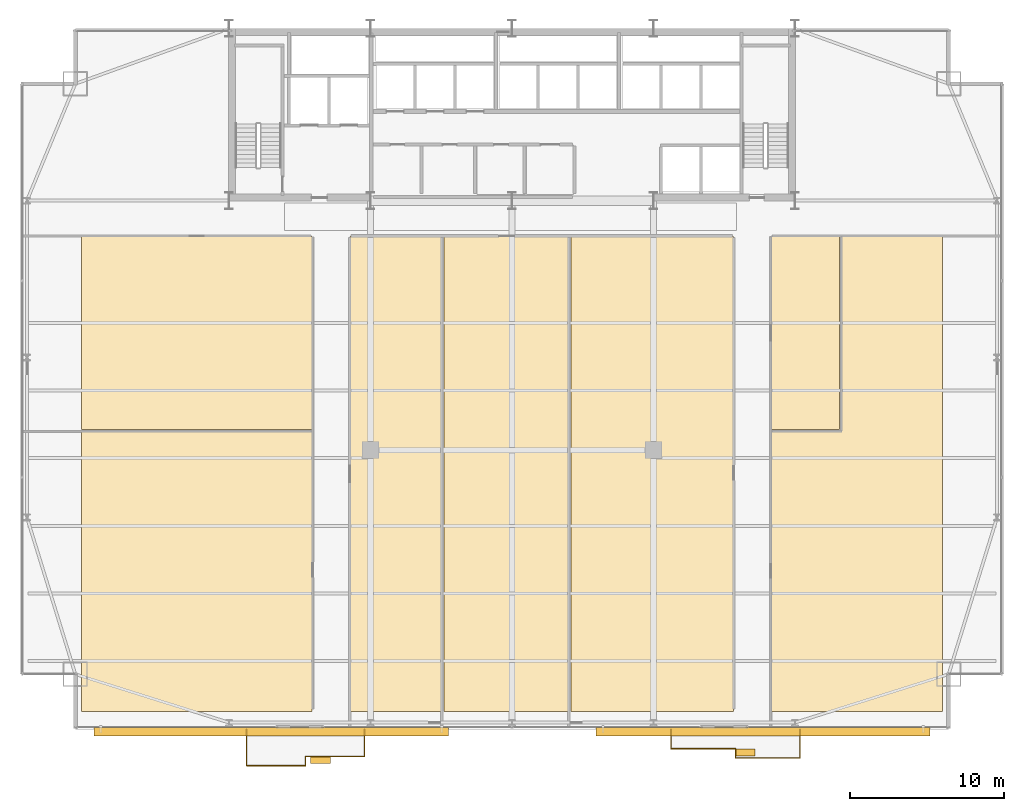
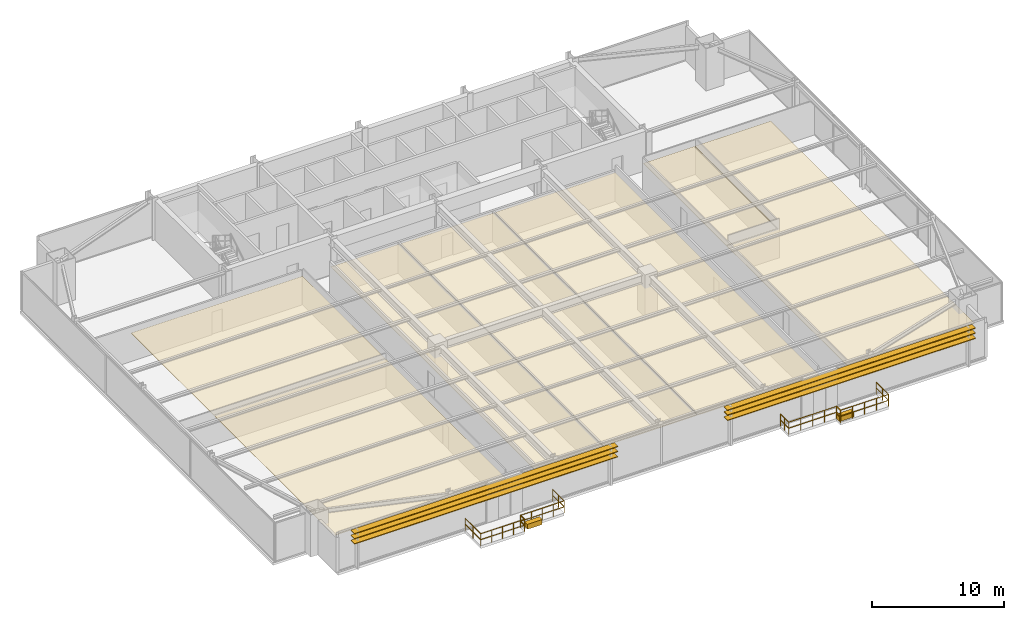
# One storey, part 30 of 31: 10 railings, 9 coverings, 6 shading devices.
"""IFC4 building model written with IfcOpenShell, lengths in metres."""

from ifc_helpers import new_model, si_unit, direction, frame, origin, origin_2d, place, context, subcontext, project, spatial, polyline, rectangle, outline, extrude, source, transform, mapped, material, layer, layer_set, type_object, type_shapes, element, save


model = new_model("IFC4")

# Units and contexts
model_context = context("Model", 3, precision=1e-05, world=origin(), true_north=direction((0.0, 1.0)))
body_context = subcontext(model_context, "Body", "Model", "MODEL_VIEW")
ifc_project = project(units=[si_unit("LENGTHUNIT", "METRE"), si_unit("AREAUNIT", "SQUARE_METRE"), si_unit("VOLUMEUNIT", "CUBIC_METRE"), si_unit("PLANEANGLEUNIT", "RADIAN"), si_unit("MASSUNIT", "GRAM", prefix="KILO")], contexts=[model_context])

# Site, building, storey
site_placement = place(None, origin())
site = spatial("IfcSite", under=ifc_project, at=site_placement, CompositionType="ELEMENT")
building_placement = place(site_placement, origin())
building = spatial("IfcBuilding", under=site, at=building_placement, Name="Varnel Quay Broadcast Tower", CompositionType="ELEMENT")
storey_placement = place(building_placement, frame((0.0, 0.0, 35.39990234375)))
storey = spatial("IfcBuildingStorey", under=building, at=storey_placement, Name="L07", CompositionType="ELEMENT", Elevation=35.39990234375)

# Coverings
ifc_material_1 = material(Name="Micro-Perforated Acoustic Ceiling Tile")
ifc_layer_1 = layer(ifc_material_1, 0.0400390625, Name="Micro-Perforated Acoustic Ceiling Tile")
ifc_layer_set_1 = layer_set([ifc_layer_1], Name="Micro-Perforated Acoustic Ceiling Tile")
covering_type_1 = type_object("IfcCoveringType", Name="Cov_AcousticCeiling", PredefinedType="CEILING", material=ifc_layer_set_1)
covering_1_placement = place(storey_placement, frame((0.0, 0.0, 2.580078125)))
element("IfcCovering", 1, at=covering_1_placement, inside=storey, type_object=covering_type_1, Name="L07 Ingest Vault Store 1 Acoustic Ceiling", PredefinedType="CEILING", context=body_context, shape_type="SweptSolid", body=[
    extrude(outline(polyline([(5.985107421875, 2.375), (21.0048828125, 2.375), (21.0048828125, 20.64501953125), (5.985107421875, 20.64501953125), (5.985107421875, 2.375)])), origin(), (0.0, 0.0, 1.0), 0.0400390625),
])
covering_2_placement = place(storey_placement, frame((0.0, 0.0, 2.580078125)))
element("IfcCovering", 2, at=covering_2_placement, inside=storey, type_object=covering_type_1, Name="L07 Color Timing Suite 2 Acoustic Ceiling", PredefinedType="CEILING", context=body_context, shape_type="SweptSolid", body=[
    extrude(outline(polyline([(5.985107421875, 20.715087890625), (21.0048828125, 20.715087890625), (21.0048828125, 33.264892578125), (5.985107421875, 33.264892578125), (5.985107421875, 20.715087890625)])), origin(), (0.0, 0.0, 1.0), 0.0400390625),
])
covering_3_placement = place(storey_placement, frame((0.0, 0.0, 2.580078125)))
element("IfcCovering", 3, at=covering_3_placement, inside=storey, type_object=covering_type_1, Name="L07 Screening Meeting Room 3 Acoustic Ceiling", PredefinedType="CEILING", context=body_context, shape_type="SweptSolid", body=[
    extrude(outline(polyline([(23.47509765625, 2.375), (29.4951171875, 2.375), (29.4951171875, 33.264892578125), (23.47509765625, 33.264892578125), (23.47509765625, 2.375)])), origin(), (0.0, 0.0, 1.0), 0.0400390625),
])
covering_4_placement = place(storey_placement, frame((0.0, 0.0, 2.580078125)))
element("IfcCovering", 4, at=covering_4_placement, inside=storey, type_object=covering_type_1, Name="L07 Producer Lounge 4 Acoustic Ceiling", PredefinedType="CEILING", context=body_context, shape_type="SweptSolid", body=[
    extrude(outline(polyline([(29.56494140625, 2.375), (37.7548828125, 2.375), (37.7548828125, 33.264892578125), (29.56494140625, 33.264892578125), (29.56494140625, 2.375)])), origin(), (0.0, 0.0, 1.0), 0.0400390625),
])
covering_5_placement = place(storey_placement, frame((0.0, 0.0, 2.580078125)))
element("IfcCovering", 5, at=covering_5_placement, inside=storey, type_object=covering_type_1, Name="L07 Tea Kitchen 5 Acoustic Ceiling", PredefinedType="CEILING", context=body_context, shape_type="SweptSolid", body=[
    extrude(outline(polyline([(37.824951171875, 2.375), (48.39501953125, 2.375), (48.39501953125, 33.264892578125), (37.824951171875, 33.264892578125), (37.824951171875, 2.375)])), origin(), (0.0, 0.0, 1.0), 0.0400390625),
])
covering_6_placement = place(storey_placement, frame((0.0, 0.0, 2.580078125)))
element("IfcCovering", 6, at=covering_6_placement, inside=storey, type_object=covering_type_1, Name="L07 Lens & Rigging Store 6 Acoustic Ceiling", PredefinedType="CEILING", context=body_context, shape_type="SweptSolid", body=[
    extrude(outline(polyline([(50.864990234375, 2.375), (62.014892578125, 2.375), (62.014892578125, 33.264892578125), (55.375, 33.264892578125), (55.375, 20.64501953125), (50.864990234375, 20.64501953125), (50.864990234375, 2.375)])), origin(), (0.0, 0.0, 1.0), 0.0400390625),
])
covering_7_placement = place(storey_placement, frame((0.0, 0.0, 2.580078125)))
element("IfcCovering", 7, at=covering_7_placement, inside=storey, type_object=covering_type_1, Name="L07 Producer Lounge 7 Acoustic Ceiling", PredefinedType="CEILING", context=body_context, shape_type="SweptSolid", body=[
    extrude(outline(polyline([(50.864990234375, 20.715087890625), (55.304931640625, 20.715087890625), (55.304931640625, 33.264892578125), (50.864990234375, 33.264892578125), (50.864990234375, 20.715087890625)])), origin(), (0.0, 0.0, 1.0), 0.0400390625),
])

# Railings
ifc_material_2 = material(Name="Anodised Bronze Aluminium 6063-T6", Category="aluminium")
railing_type = type_object("IfcRailingType", Name="Rail_Balustrade1150", PredefinedType="BALUSTRADE", material=ifc_material_2)
railing_1_placement = place(storey_placement, frame((16.739990234375, -1.14794921875, 0.0)))
element("IfcRailing", 8, at=railing_1_placement, inside=storey, type_object=railing_type, Name="L07 Terrace 1 Guard 1", PredefinedType="BALUSTRADE", context=body_context, shape_type="SweptSolid", body=[
    extrude(rectangle(XDim=0.048095703125, YDim=0.048095703125, at=origin_2d()), frame((0.0, 0.0, 1.1259765625), z_axis=(1.0, 0.0, 0.0), x_axis=(0.0, 1.0, 0.0)), (0.0, 0.0, 1.0), 3.830078125),
    extrude(rectangle(XDim=0.048095703125, YDim=0.048095703125, at=origin_2d()), frame((0.0, 0.0, 0.574951171875), z_axis=(1.0, 0.0, 0.0), x_axis=(0.0, 1.0, 0.0)), (0.0, 0.0, 1.0), 3.830078125),
    extrude(rectangle(XDim=0.0419921875, YDim=0.0419921875, at=origin_2d()), origin(), (0.0, 0.0, 1.0), 1.101806640625),
    extrude(rectangle(XDim=0.0419921875, YDim=0.0419921875, at=origin_2d()), frame((0.95751953125, 0.0, 0.0)), (0.0, 0.0, 1.0), 1.101806640625),
    extrude(rectangle(XDim=0.0419921875, YDim=0.0419921875, at=origin_2d()), frame((1.9150390625, 0.0, 0.0)), (0.0, 0.0, 1.0), 1.101806640625),
    extrude(rectangle(XDim=0.0419921875, YDim=0.0419921875, at=origin_2d()), frame((2.87255859375, 0.0, 0.0)), (0.0, 0.0, 1.0), 1.101806640625),
    extrude(rectangle(XDim=0.0419921875, YDim=0.0419921875, at=origin_2d()), frame((3.830078125, 0.0, 0.0)), (0.0, 0.0, 1.0), 1.101806640625),
])
railing_2_placement = place(storey_placement, frame((20.570068359375, -1.14794921875, 0.0)))
element("IfcRailing", 9, at=railing_2_placement, inside=storey, type_object=railing_type, Name="L07 Terrace 1 Guard 2", PredefinedType="BALUSTRADE", context=body_context, shape_type="SweptSolid", body=[
    extrude(rectangle(XDim=0.048095703125, YDim=0.048095703125, at=origin_2d()), frame((0.0, 0.0, 1.1259765625), z_axis=(0.0, 1.0, 0.0), x_axis=(-1.0, 0.0, 0.0)), (0.0, 0.0, 1.0), 0.599853515625),
    extrude(rectangle(XDim=0.048095703125, YDim=0.048095703125, at=origin_2d()), frame((0.0, 0.0, 0.574951171875), z_axis=(0.0, 1.0, 0.0), x_axis=(-1.0, 0.0, 0.0)), (0.0, 0.0, 1.0), 0.599853515625),
    extrude(rectangle(XDim=0.0419921875, YDim=0.0419921875, at=origin_2d()), origin(), (0.0, 0.0, 1.0), 1.101806640625),
    extrude(rectangle(XDim=0.0419921875, YDim=0.0419921875, at=origin_2d()), frame((0.0, 0.599853515625, 0.0)), (0.0, 0.0, 1.0), 1.101806640625),
])
railing_3_placement = place(storey_placement, frame((20.570068359375, -0.548095703125, 0.0)))
element("IfcRailing", 10, at=railing_3_placement, inside=storey, type_object=railing_type, Name="L07 Terrace 1 Guard 3", PredefinedType="BALUSTRADE", context=body_context, shape_type="SweptSolid", body=[
    extrude(rectangle(XDim=0.048095703125, YDim=0.048095703125, at=origin_2d()), frame((0.0, 0.0, 1.1259765625), z_axis=(1.0, 0.0, 0.0), x_axis=(0.0, 1.0, 0.0)), (0.0, 0.0, 1.0), 3.829833984375),
    extrude(rectangle(XDim=0.048095703125, YDim=0.048095703125, at=origin_2d()), frame((0.0, 0.0, 0.574951171875), z_axis=(1.0, 0.0, 0.0), x_axis=(0.0, 1.0, 0.0)), (0.0, 0.0, 1.0), 3.829833984375),
    extrude(rectangle(XDim=0.0419921875, YDim=0.0419921875, at=origin_2d()), origin(), (0.0, 0.0, 1.0), 1.101806640625),
    extrude(rectangle(XDim=0.0419921875, YDim=0.0419921875, at=origin_2d()), frame((0.95751953125, 0.0, 0.0)), (0.0, 0.0, 1.0), 1.101806640625),
    extrude(rectangle(XDim=0.0419921875, YDim=0.0419921875, at=origin_2d()), frame((1.9150390625, 0.0, 0.0)), (0.0, 0.0, 1.0), 1.101806640625),
    extrude(rectangle(XDim=0.0419921875, YDim=0.0419921875, at=origin_2d()), frame((2.872314453125, 0.0, 0.0)), (0.0, 0.0, 1.0), 1.101806640625),
    extrude(rectangle(XDim=0.0419921875, YDim=0.0419921875, at=origin_2d()), frame((3.829833984375, 0.0, 0.0)), (0.0, 0.0, 1.0), 1.101806640625),
])
railing_4_placement = place(storey_placement, frame((24.39990234375, -0.548095703125, 0.0)))
element("IfcRailing", 11, at=railing_4_placement, inside=storey, type_object=railing_type, Name="L07 Terrace 1 Guard 4", PredefinedType="BALUSTRADE", context=body_context, shape_type="SweptSolid", body=[
    extrude(rectangle(XDim=0.048095703125, YDim=0.048095703125, at=origin_2d()), frame((0.0, 0.0, 1.1259765625), z_axis=(0.0, 1.0, 0.0), x_axis=(-1.0, 0.0, 0.0)), (0.0, 0.0, 1.0), 1.748046875),
    extrude(rectangle(XDim=0.048095703125, YDim=0.048095703125, at=origin_2d()), frame((0.0, 0.0, 0.574951171875), z_axis=(0.0, 1.0, 0.0), x_axis=(-1.0, 0.0, 0.0)), (0.0, 0.0, 1.0), 1.748046875),
    extrude(rectangle(XDim=0.0419921875, YDim=0.0419921875, at=origin_2d()), origin(), (0.0, 0.0, 1.0), 1.101806640625),
    extrude(rectangle(XDim=0.0419921875, YDim=0.0419921875, at=origin_2d()), frame((0.0, 0.8740234375, 0.0)), (0.0, 0.0, 1.0), 1.101806640625),
    extrude(rectangle(XDim=0.0419921875, YDim=0.0419921875, at=origin_2d()), frame((0.0, 1.748046875, 0.0)), (0.0, 0.0, 1.0), 1.101806640625),
])
railing_5_placement = place(storey_placement, frame((16.739990234375, 1.199951171875, 0.0)))
element("IfcRailing", 12, at=railing_5_placement, inside=storey, type_object=railing_type, Name="L07 Terrace 1 Guard 6", PredefinedType="BALUSTRADE", context=body_context, shape_type="SweptSolid", body=[
    extrude(rectangle(XDim=0.048095703125, YDim=0.048095703125, at=origin_2d()), frame((0.0, 0.0, 1.1259765625), z_axis=(0.0, -1.0, 0.0), x_axis=(1.0, 0.0, 0.0)), (0.0, 0.0, 1.0), 2.347900390625),
    extrude(rectangle(XDim=0.048095703125, YDim=0.048095703125, at=origin_2d()), frame((0.0, 0.0, 0.574951171875), z_axis=(0.0, -1.0, 0.0), x_axis=(1.0, 0.0, 0.0)), (0.0, 0.0, 1.0), 2.347900390625),
    extrude(rectangle(XDim=0.0419921875, YDim=0.0419921875, at=origin_2d()), origin(), (0.0, 0.0, 1.0), 1.101806640625),
    extrude(rectangle(XDim=0.0419921875, YDim=0.0419921875, at=origin_2d()), frame((0.0, -1.173828125, 0.0)), (0.0, 0.0, 1.0), 1.101806640625),
    extrude(rectangle(XDim=0.0419921875, YDim=0.0419921875, at=origin_2d()), frame((0.0, -2.347900390625, 0.0)), (0.0, 0.0, 1.0), 1.101806640625),
])
railing_6_placement = place(storey_placement, frame((44.340087890625, -0.052001953125, 0.0)))
element("IfcRailing", 13, at=railing_6_placement, inside=storey, type_object=railing_type, Name="L07 Terrace 2 Guard 1", PredefinedType="BALUSTRADE", context=body_context, shape_type="SweptSolid", body=[
    extrude(rectangle(XDim=0.048095703125, YDim=0.048095703125, at=origin_2d()), frame((0.0, 0.0, 1.1259765625), z_axis=(1.0, 0.0, 0.0), x_axis=(0.0, 1.0, 0.0)), (0.0, 0.0, 1.0), 4.199951171875),
    extrude(rectangle(XDim=0.048095703125, YDim=0.048095703125, at=origin_2d()), frame((0.0, 0.0, 0.574951171875), z_axis=(1.0, 0.0, 0.0), x_axis=(0.0, 1.0, 0.0)), (0.0, 0.0, 1.0), 4.199951171875),
    extrude(rectangle(XDim=0.0419921875, YDim=0.0419921875, at=origin_2d()), origin(), (0.0, 0.0, 1.0), 1.101806640625),
    extrude(rectangle(XDim=0.0419921875, YDim=0.0419921875, at=origin_2d()), frame((1.050048828125, 0.0, 0.0)), (0.0, 0.0, 1.0), 1.101806640625),
    extrude(rectangle(XDim=0.0419921875, YDim=0.0419921875, at=origin_2d()), frame((2.10009765625, 0.0, 0.0)), (0.0, 0.0, 1.0), 1.101806640625),
    extrude(rectangle(XDim=0.0419921875, YDim=0.0419921875, at=origin_2d()), frame((3.14990234375, 0.0, 0.0)), (0.0, 0.0, 1.0), 1.101806640625),
    extrude(rectangle(XDim=0.0419921875, YDim=0.0419921875, at=origin_2d()), frame((4.199951171875, 0.0, 0.0)), (0.0, 0.0, 1.0), 1.101806640625),
])
railing_7_placement = place(storey_placement, frame((48.5400390625, -0.052001953125, 0.0)))
element("IfcRailing", 14, at=railing_7_placement, inside=storey, type_object=railing_type, Name="L07 Terrace 2 Guard 2", PredefinedType="BALUSTRADE", context=body_context, shape_type="SweptSolid", body=[
    extrude(rectangle(XDim=0.048095703125, YDim=0.048095703125, at=origin_2d()), frame((0.0, 0.0, 1.1259765625), z_axis=(0.0, -1.0, 0.0), x_axis=(1.0, 0.0, 0.0)), (0.0, 0.0, 1.0), 0.60009765625),
    extrude(rectangle(XDim=0.048095703125, YDim=0.048095703125, at=origin_2d()), frame((0.0, 0.0, 0.574951171875), z_axis=(0.0, -1.0, 0.0), x_axis=(1.0, 0.0, 0.0)), (0.0, 0.0, 1.0), 0.60009765625),
    extrude(rectangle(XDim=0.0419921875, YDim=0.0419921875, at=origin_2d()), origin(), (0.0, 0.0, 1.0), 1.101806640625),
    extrude(rectangle(XDim=0.0419921875, YDim=0.0419921875, at=origin_2d()), frame((0.0, -0.60009765625, 0.0)), (0.0, 0.0, 1.0), 1.101806640625),
])
railing_8_placement = place(storey_placement, frame((48.5400390625, -0.652099609375, 0.0)))
element("IfcRailing", 15, at=railing_8_placement, inside=storey, type_object=railing_type, Name="L07 Terrace 2 Guard 3", PredefinedType="BALUSTRADE", context=body_context, shape_type="SweptSolid", body=[
    extrude(rectangle(XDim=0.048095703125, YDim=0.048095703125, at=origin_2d()), frame((0.0, 0.0, 1.1259765625), z_axis=(1.0, 0.0, 0.0), x_axis=(0.0, 1.0, 0.0)), (0.0, 0.0, 1.0), 4.199951171875),
    extrude(rectangle(XDim=0.048095703125, YDim=0.048095703125, at=origin_2d()), frame((0.0, 0.0, 0.574951171875), z_axis=(1.0, 0.0, 0.0), x_axis=(0.0, 1.0, 0.0)), (0.0, 0.0, 1.0), 4.199951171875),
    extrude(rectangle(XDim=0.0419921875, YDim=0.0419921875, at=origin_2d()), origin(), (0.0, 0.0, 1.0), 1.101806640625),
    extrude(rectangle(XDim=0.0419921875, YDim=0.0419921875, at=origin_2d()), frame((1.050048828125, 0.0, 0.0)), (0.0, 0.0, 1.0), 1.101806640625),
    extrude(rectangle(XDim=0.0419921875, YDim=0.0419921875, at=origin_2d()), frame((2.10009765625, 0.0, 0.0)), (0.0, 0.0, 1.0), 1.101806640625),
    extrude(rectangle(XDim=0.0419921875, YDim=0.0419921875, at=origin_2d()), frame((3.14990234375, 0.0, 0.0)), (0.0, 0.0, 1.0), 1.101806640625),
    extrude(rectangle(XDim=0.0419921875, YDim=0.0419921875, at=origin_2d()), frame((4.199951171875, 0.0, 0.0)), (0.0, 0.0, 1.0), 1.101806640625),
])
railing_9_placement = place(storey_placement, frame((52.739990234375, -0.652099609375, 0.0)))
element("IfcRailing", 16, at=railing_9_placement, inside=storey, type_object=railing_type, Name="L07 Terrace 2 Guard 4", PredefinedType="BALUSTRADE", context=body_context, shape_type="SweptSolid", body=[
    extrude(rectangle(XDim=0.048095703125, YDim=0.048095703125, at=origin_2d()), frame((0.0, 0.0, 1.1259765625), z_axis=(0.0, 1.0, 0.0), x_axis=(-1.0, 0.0, 0.0)), (0.0, 0.0, 1.0), 1.85205078125),
    extrude(rectangle(XDim=0.048095703125, YDim=0.048095703125, at=origin_2d()), frame((0.0, 0.0, 0.574951171875), z_axis=(0.0, 1.0, 0.0), x_axis=(-1.0, 0.0, 0.0)), (0.0, 0.0, 1.0), 1.85205078125),
    extrude(rectangle(XDim=0.0419921875, YDim=0.0419921875, at=origin_2d()), origin(), (0.0, 0.0, 1.0), 1.101806640625),
    extrude(rectangle(XDim=0.0419921875, YDim=0.0419921875, at=origin_2d()), frame((0.0, 0.926025390625, 0.0)), (0.0, 0.0, 1.0), 1.101806640625),
    extrude(rectangle(XDim=0.0419921875, YDim=0.0419921875, at=origin_2d()), frame((0.0, 1.85205078125, 0.0)), (0.0, 0.0, 1.0), 1.101806640625),
])
railing_10_placement = place(storey_placement, frame((44.340087890625, 1.199951171875, 0.0)))
element("IfcRailing", 17, at=railing_10_placement, inside=storey, type_object=railing_type, Name="L07 Terrace 2 Guard 6", PredefinedType="BALUSTRADE", context=body_context, shape_type="SweptSolid", body=[
    extrude(rectangle(XDim=0.048095703125, YDim=0.048095703125, at=origin_2d()), frame((0.0, 0.0, 1.1259765625), z_axis=(0.0, -1.0, 0.0), x_axis=(1.0, 0.0, 0.0)), (0.0, 0.0, 1.0), 1.251953125),
    extrude(rectangle(XDim=0.048095703125, YDim=0.048095703125, at=origin_2d()), frame((0.0, 0.0, 0.574951171875), z_axis=(0.0, -1.0, 0.0), x_axis=(1.0, 0.0, 0.0)), (0.0, 0.0, 1.0), 1.251953125),
    extrude(rectangle(XDim=0.0419921875, YDim=0.0419921875, at=origin_2d()), origin(), (0.0, 0.0, 1.0), 1.101806640625),
    extrude(rectangle(XDim=0.0419921875, YDim=0.0419921875, at=origin_2d()), frame((0.0, -0.6259765625, 0.0)), (0.0, 0.0, 1.0), 1.101806640625),
    extrude(rectangle(XDim=0.0419921875, YDim=0.0419921875, at=origin_2d()), frame((0.0, -1.251953125, 0.0)), (0.0, 0.0, 1.0), 1.101806640625),
])

# Coverings
ifc_material_3 = material(Name="Bronze-Terracotta Extruded Ceramic Blade", Category="masonry")
ifc_layer_2 = layer(ifc_material_3, 0.449951171875, Name="Bronze-Terracotta Extruded Ceramic Blade")
ifc_layer_set_2 = layer_set([ifc_layer_2], Name="Bronze-Terracotta Extruded Ceramic Blade")
covering_type_2 = type_object("IfcCoveringType", Name="Cov_BronzePlanter", PredefinedType="CLADDING", material=ifc_layer_set_2)
shared_shape_1 = source(origin(), body_context, "Body", "SweptSolid", [
    extrude(rectangle(XDim=1.300048828125, YDim=0.449951171875, at=origin_2d()), origin(), (0.0, 0.0, 1.0), 0.449951171875),
])
type_shapes(covering_type_2, [shared_shape_1])
for number, where, z_axis, x_axis, name in (
    (18, (21.550048828125, -0.798095703125, 0.0), (0.0, 0.0, 1.0), (1.0, 0.0, 0.0), "L07 Terrace 1 Bronze Planter"),
    (19, (49.14990234375, -0.302001953125, 0.0), (0.0, 0.0, 1.0), (1.0, 0.0, 0.0), "L07 Terrace 2 Bronze Planter"),
):
    element("IfcCovering", number, at=place(storey_placement, frame(where, z_axis=z_axis, x_axis=x_axis)), inside=storey, type_object=covering_type_2, Name=name, PredefinedType="CLADDING", context=body_context, shape_type="MappedRepresentation", body=[
        mapped(shared_shape_1, transform((0.0, 0.0, 0.0), x_axis=(1.0, 0.0, 0.0), y_axis=(0.0, 1.0, 0.0), z_axis=(0.0, 0.0, 1.0), scale=1.0)),
    ])

# Shading devices
ifc_layer_3 = layer(ifc_material_3, 0.06494140625, Name="Bronze-Terracotta Extruded Ceramic Blade")
ifc_layer_set_3 = layer_set([ifc_layer_3], Name="Bronze-Terracotta Extruded Ceramic Blade")
shading_device_type = type_object("IfcShadingDeviceType", Name="Shade_LouvreBlade550", PredefinedType="JALOUSIE", material=ifc_layer_set_3)
shared_shape_2 = source(origin(), body_context, "Body", "SweptSolid", [
    extrude(rectangle(XDim=23.069091796875, YDim=0.550048828125, at=origin_2d()), origin(), (0.0, 0.0, 1.0), 0.06494140625),
])
for number, where, z_axis, x_axis, name in (
    (20, (18.333984375, 1.06005859375, 2.447509765625), (0.0, 0.0, 1.0), (1.0, 0.0, 0.0), "L07 Lobe 1 Horizontal Louvre Blade 1"),
    (21, (18.333984375, 1.06005859375, 2.927734375), (0.0, 0.0, 1.0), (1.0, 0.0, 0.0), "L07 Lobe 1 Horizontal Louvre Blade 2"),
    (22, (18.333984375, 1.06005859375, 3.3876953125), (0.0, 0.0, 1.0), (1.0, 0.0, 0.0), "L07 Lobe 1 Horizontal Louvre Blade 3"),
):
    element("IfcShadingDevice", number, at=place(storey_placement, frame(where, z_axis=z_axis, x_axis=x_axis)), inside=storey, type_object=shading_device_type, Name=name, PredefinedType="JALOUSIE", context=body_context, shape_type="MappedRepresentation", body=[
        mapped(shared_shape_2, transform((0.0, 0.0, 0.0), x_axis=(1.0, 0.0, 0.0), y_axis=(0.0, 1.0, 0.0), z_axis=(0.0, 0.0, 1.0), scale=1.0)),
    ])
shared_shape_3 = source(origin(), body_context, "Body", "SweptSolid", [
    extrude(rectangle(XDim=21.73095703125, YDim=0.550048828125, at=origin_2d()), origin(), (0.0, 0.0, 1.0), 0.06494140625),
])
type_shapes(shading_device_type, [shared_shape_2, shared_shape_3])
for number, where, z_axis, x_axis, name in (
    (23, (50.3349609375, 1.06005859375, 2.447509765625), (0.0, 0.0, 1.0), (1.0, 0.0, 0.0), "L07 Lobe 2 Horizontal Louvre Blade 1"),
    (24, (50.3349609375, 1.06005859375, 2.927734375), (0.0, 0.0, 1.0), (1.0, 0.0, 0.0), "L07 Lobe 2 Horizontal Louvre Blade 2"),
    (25, (50.3349609375, 1.06005859375, 3.3876953125), (0.0, 0.0, 1.0), (1.0, 0.0, 0.0), "L07 Lobe 2 Horizontal Louvre Blade 3"),
):
    element("IfcShadingDevice", number, at=place(storey_placement, frame(where, z_axis=z_axis, x_axis=x_axis)), inside=storey, type_object=shading_device_type, Name=name, PredefinedType="JALOUSIE", context=body_context, shape_type="MappedRepresentation", body=[
        mapped(shared_shape_3, transform((0.0, 0.0, 0.0), x_axis=(1.0, 0.0, 0.0), y_axis=(0.0, 1.0, 0.0), z_axis=(0.0, 0.0, 1.0), scale=1.0)),
    ])

save(model, "model.ifc")
